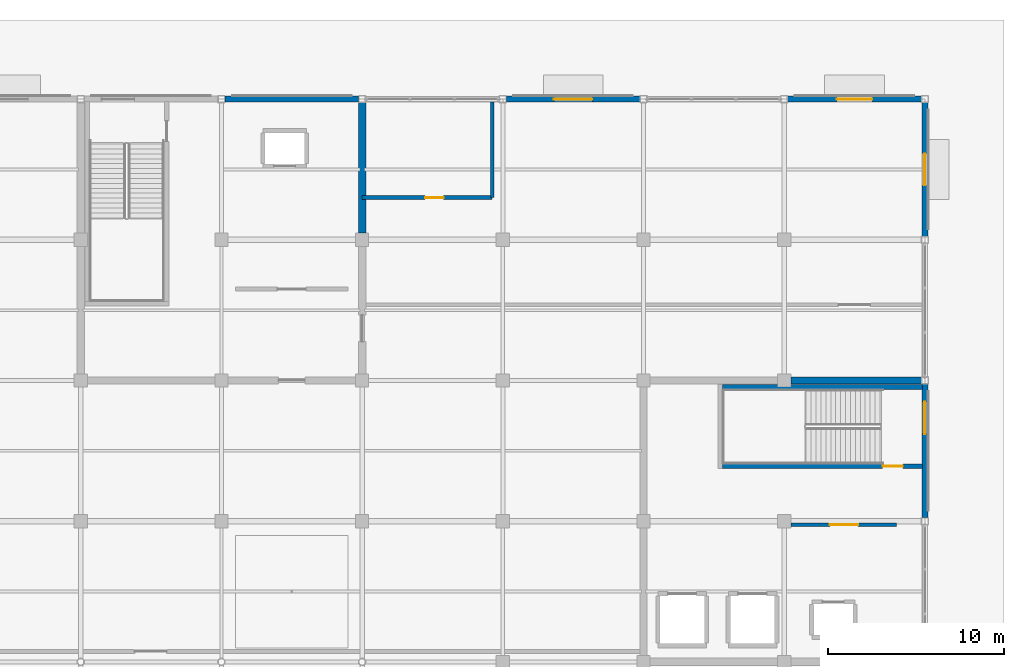
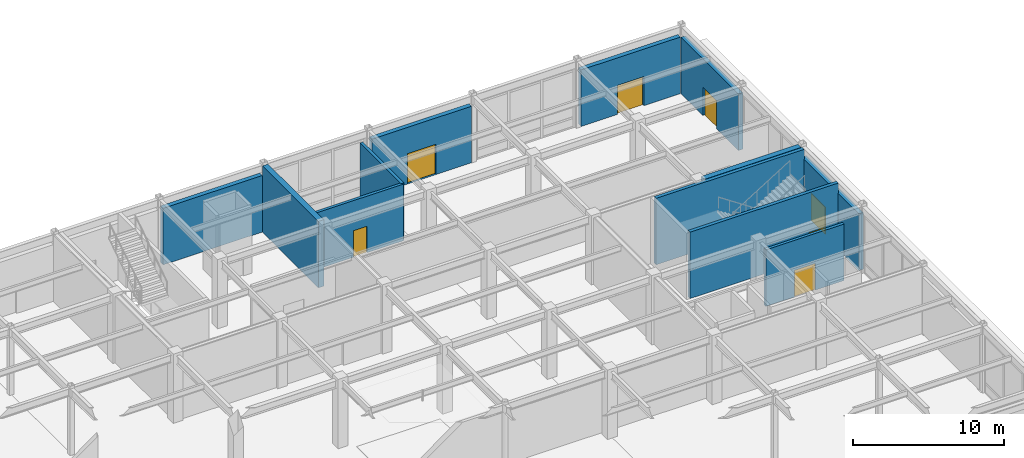
# One storey, part 108 of 128: 12 walls, 7 doors, 7 openings.
"""IFC4 building model written with IfcOpenShell, lengths in metres."""

from ifc_helpers import new_model, si_unit, direction, frame, frame_2d, origin, place, context, subcontext, project, spatial, rectangle, extrude, material, layer, layer_set, type_object, element, fill, save


model = new_model("IFC4")

# Units and contexts
model_context = context("Model", 3, precision=1e-05, world=origin(), true_north=direction((0.0, 1.0)))
body_context = subcontext(model_context, "Body", "Model", "MODEL_VIEW")
ifc_project = project(units=[si_unit("LENGTHUNIT", "METRE"), si_unit("AREAUNIT", "SQUARE_METRE"), si_unit("VOLUMEUNIT", "CUBIC_METRE"), si_unit("PLANEANGLEUNIT", "RADIAN"), si_unit("MASSUNIT", "GRAM", prefix="KILO")], contexts=[model_context])

# Site, building, storey
site_placement = place(None, origin())
site = spatial("IfcSite", under=ifc_project, at=site_placement, CompositionType="ELEMENT")
building_placement = place(site_placement, origin())
building = spatial("IfcBuilding", under=site, at=building_placement, Name="Solmirada Galleria", CompositionType="ELEMENT")
storey_placement = place(building_placement, origin())
storey = spatial("IfcBuildingStorey", under=building, at=storey_placement, Name="L00", CompositionType="ELEMENT", Elevation=0.0)

# Walls
ifc_material_1 = material(Name="Concrete C40/50", Category="concrete")
ifc_layer_1 = layer(ifc_material_1, 0.419921875)
ifc_layer_set_1 = layer_set([ifc_layer_1], Name="Concrete C40/50")
wall_type_1 = type_object("IfcWallType", Name="WL-CORE-420", PredefinedType="SHEAR", material=ifc_layer_set_1)
for number, where, z_axis, x_axis, name in (
    (1, (144.0, 112.375, 0.0), (0.0, 0.0, 1.0), (0.0, 1.0, 0.0), "Core C3 shear wall L00 E2"),
    (2, (168.375, 104.0, 0.0), (0.0, 0.0, 1.0), (1.0, 0.0, 0.0), "Core C4 shear wall L00 N2"),
):
    element("IfcWall", number, at=place(storey_placement, frame(where, z_axis=z_axis, x_axis=x_axis)), inside=storey, type_object=wall_type_1, Name=name, PredefinedType="SHEAR", context=body_context, shape_type="SweptSolid", body=[
        extrude(rectangle(XDim=7.422119140625, YDim=0.419921875, at=frame_2d((3.7109375, 0.0))), origin(), (0.0, 0.0, 1.0), 5.3798828125),
    ])
ifc_material_2 = material(Name="Precast concrete C40/50", Category="concrete")
ifc_layer_2 = layer(ifc_material_2, 0.340087890625)
ifc_layer_set_2 = layer_set([ifc_layer_2], Name="Precast concrete C40/50")
wall_type_2 = type_object("IfcWallType", Name="WL-EXT-340", PredefinedType="STANDARD", material=ifc_layer_set_2)
wall_1_placement = place(storey_placement, frame((136.202880859375, 120.0, 0.0), z_axis=(0.0, 0.0, 1.0), x_axis=(1.0, 0.0, 0.0)))
element("IfcWall", 3, at=wall_1_placement, inside=storey, type_object=wall_type_2, Name="Exterior wall L00 bay 028", PredefinedType="STANDARD", context=body_context, shape_type="SweptSolid", body=[
    extrude(rectangle(XDim=7.59423828125, YDim=0.340087890625, at=frame_2d((3.797119140625, 0.0))), origin(), (0.0, 0.0, 1.0), 4.580078125),
])

# Wall, opening, door
wall_2_placement = place(storey_placement, frame((152.202880859375, 120.0, 0.0), z_axis=(0.0, 0.0, 1.0), x_axis=(1.0, 0.0, 0.0)))
wall_2 = element("IfcWall", 4, at=wall_2_placement, inside=storey, type_object=wall_type_2, Name="Exterior wall L00 bay 030", PredefinedType="STANDARD", context=body_context, shape_type="SweptSolid", body=[
    extrude(rectangle(XDim=7.59423828125, YDim=0.340087890625, at=frame_2d((3.797119140625, 0.0))), origin(), (0.0, 0.0, 1.0), 4.580078125),
])
opening_1_placement = place(wall_2_placement, frame((2.697021484375, 0.0, 0.0)))
opening_1 = element("IfcOpeningElement", 5, at=opening_1_placement, cuts=wall_2, Name="Opening ED-012", PredefinedType="OPENING", context=body_context, shape_type="SweptSolid", body=[
    extrude(rectangle(XDim=2.199951171875, YDim=2.449951171875, at=frame_2d((1.10009765625, 1.22509765625))), frame((0.0, 0.179931640625, 0.0), z_axis=(0.0, -1.0, 0.0), x_axis=(1.0, 0.0, 0.0)), (0.0, 0.0, 1.0), 0.360107421875),
])
ifc_material_3 = material(Name="Thermally broken aluminium and laminated glass door", Category="aluminium")
door_type_1 = type_object("IfcDoorType", Name="DR-ENT-220X245", OperationType="DOUBLE_DOOR_SINGLE_SWING", PredefinedType="DOOR", material=ifc_material_3)
door_1_placement = place(opening_1_placement, origin())
door_1 = element("IfcDoor", 6, at=door_1_placement, inside=storey, type_object=door_type_1, Name="Public avenue entrance door ED-012", OperationType="DOUBLE_DOOR_SINGLE_SWING", OverallHeight=2.449951171875, OverallWidth=2.199951171875, PredefinedType="DOOR", context=body_context, shape_type="SweptSolid", body=[
    extrude(rectangle(XDim=2.199951171875, YDim=2.449951171875, at=frame_2d((1.10009765625, 1.22509765625))), frame((0.0, 0.02490234375, 0.0), z_axis=(0.0, -1.0, 0.0), x_axis=(1.0, 0.0, 0.0)), (0.0, 0.0, 1.0), 0.050048828125),
])
fill(opening_1, door_1)

wall_3_placement = place(storey_placement, frame((168.202880859375, 120.0, 0.0), z_axis=(0.0, 0.0, 1.0), x_axis=(1.0, 0.0, 0.0)))
wall_3 = element("IfcWall", 7, at=wall_3_placement, inside=storey, type_object=wall_type_2, Name="Exterior wall L00 bay 032", PredefinedType="STANDARD", context=body_context, shape_type="SweptSolid", body=[
    extrude(rectangle(XDim=7.59423828125, YDim=0.340087890625, at=frame_2d((3.797119140625, 0.0))), origin(), (0.0, 0.0, 1.0), 4.580078125),
])
opening_2_placement = place(wall_3_placement, frame((2.797119140625, 0.0, 0.0)))
opening_2 = element("IfcOpeningElement", 8, at=opening_2_placement, cuts=wall_3, Name="Opening ED-013", PredefinedType="OPENING", context=body_context, shape_type="SweptSolid", body=[
    extrude(rectangle(XDim=2.0, YDim=2.35009765625, at=frame_2d((1.0, 1.175048828125))), frame((0.0, 0.179931640625, 0.0), z_axis=(0.0, -1.0, 0.0), x_axis=(1.0, 0.0, 0.0)), (0.0, 0.0, 1.0), 0.360107421875),
])
door_type_2 = type_object("IfcDoorType", Name="DR-ENT-200X235", OperationType="DOUBLE_DOOR_SINGLE_SWING", PredefinedType="DOOR", material=ifc_material_3)
door_2_placement = place(opening_2_placement, origin())
door_2 = element("IfcDoor", 9, at=door_2_placement, inside=storey, type_object=door_type_2, Name="Public avenue entrance door ED-013", OperationType="DOUBLE_DOOR_SINGLE_SWING", OverallHeight=2.35009765625, OverallWidth=2.0, PredefinedType="DOOR", context=body_context, shape_type="SweptSolid", body=[
    extrude(rectangle(XDim=2.0, YDim=2.35009765625, at=frame_2d((1.0, 1.175048828125))), frame((0.0, 0.02490234375, 0.0), z_axis=(0.0, -1.0, 0.0), x_axis=(1.0, 0.0, 0.0)), (0.0, 0.0, 1.0), 0.050048828125),
])
fill(opening_2, door_2)

wall_4_placement = place(storey_placement, frame((176.0, 119.797119140625, 0.0), z_axis=(0.0, 0.0, 1.0), x_axis=(0.0, -1.0, 0.0)))
wall_4 = element("IfcWall", 10, at=wall_4_placement, inside=storey, type_object=wall_type_2, Name="Exterior wall L00 bay 033", PredefinedType="STANDARD", context=body_context, shape_type="SweptSolid", body=[
    extrude(rectangle(XDim=7.59423828125, YDim=0.340087890625, at=frame_2d((3.797119140625, 0.0))), origin(), (0.0, 0.0, 1.0), 4.580078125),
])
opening_3_placement = place(wall_4_placement, frame((2.89697265625, 0.0, 0.0)))
opening_3 = element("IfcOpeningElement", 11, at=opening_3_placement, cuts=wall_4, Name="Opening ED-014", PredefinedType="OPENING", context=body_context, shape_type="SweptSolid", body=[
    extrude(rectangle(XDim=1.800048828125, YDim=2.300048828125, at=frame_2d((0.89990234375, 1.14990234375))), frame((0.0, 0.179931640625, 0.0), z_axis=(0.0, -1.0, 0.0), x_axis=(1.0, 0.0, 0.0)), (0.0, 0.0, 1.0), 0.360107421875),
])
door_type_3 = type_object("IfcDoorType", Name="DR-ENT-180X230", OperationType="DOUBLE_DOOR_SINGLE_SWING", PredefinedType="DOOR", material=ifc_material_3)
door_3_placement = place(opening_3_placement, origin())
door_3 = element("IfcDoor", 12, at=door_3_placement, inside=storey, type_object=door_type_3, Name="Public avenue entrance door ED-014", OperationType="DOUBLE_DOOR_SINGLE_SWING", OverallHeight=2.300048828125, OverallWidth=1.800048828125, PredefinedType="DOOR", context=body_context, shape_type="SweptSolid", body=[
    extrude(rectangle(XDim=1.800048828125, YDim=2.300048828125, at=frame_2d((0.89990234375, 1.14990234375))), frame((0.0, 0.02490234375, 0.0), z_axis=(0.0, -1.0, 0.0), x_axis=(1.0, 0.0, 0.0)), (0.0, 0.0, 1.0), 0.050048828125),
])
fill(opening_3, door_3)

wall_5_placement = place(storey_placement, frame((176.0, 103.797119140625, 0.0), z_axis=(0.0, 0.0, 1.0), x_axis=(0.0, -1.0, 0.0)))
wall_5 = element("IfcWall", 13, at=wall_5_placement, inside=storey, type_object=wall_type_2, Name="Exterior wall L00 bay 035", PredefinedType="STANDARD", context=body_context, shape_type="SweptSolid", body=[
    extrude(rectangle(XDim=7.59423828125, YDim=0.340087890625, at=frame_2d((3.797119140625, 0.0))), origin(), (0.0, 0.0, 1.0), 4.580078125),
])
opening_4_placement = place(wall_5_placement, frame((1.0, 0.0, 0.0)))
opening_4 = element("IfcOpeningElement", 14, at=opening_4_placement, cuts=wall_5, Name="Opening ED-015", PredefinedType="OPENING", context=body_context, shape_type="SweptSolid", body=[
    extrude(rectangle(XDim=1.85009765625, YDim=2.199951171875, at=frame_2d((0.925048828125, 1.10009765625))), frame((0.0, 0.179931640625, 0.0), z_axis=(0.0, -1.0, 0.0), x_axis=(1.0, 0.0, 0.0)), (0.0, 0.0, 1.0), 0.360107421875),
])
ifc_material_4 = material(Name="Painted galvanized steel door assembly", Category="steel")
door_type_4 = type_object("IfcDoorType", Name="DR-EXIT-185X220", OperationType="DOUBLE_DOOR_SINGLE_SWING", PredefinedType="DOOR", material=ifc_material_4)
door_4_placement = place(opening_4_placement, origin())
door_4 = element("IfcDoor", 15, at=door_4_placement, inside=storey, type_object=door_type_4, Name="Exit stair ST4 exterior discharge door ED-015", OperationType="DOUBLE_DOOR_SINGLE_SWING", OverallHeight=2.199951171875, OverallWidth=1.85009765625, PredefinedType="DOOR", context=body_context, shape_type="SweptSolid", body=[
    extrude(rectangle(XDim=1.85009765625, YDim=2.199951171875, at=frame_2d((0.925048828125, 1.10009765625))), frame((0.0, 0.02490234375, 0.0), z_axis=(0.0, -1.0, 0.0), x_axis=(1.0, 0.0, 0.0)), (0.0, 0.0, 1.0), 0.050048828125),
])
fill(opening_4, door_4)

ifc_material_5 = material(Name="Fire-rated gypsum and steel-stud partition", Category="steel")
ifc_layer_3 = layer(ifc_material_5, 0.219970703125)
ifc_layer_set_3 = layer_set([ifc_layer_3], Name="Fire-rated gypsum and steel-stud partition")
wall_type_3 = type_object("IfcWallType", Name="WL-PART-220", PredefinedType="PARTITIONING", material=ifc_layer_set_3)
wall_6_placement = place(storey_placement, frame((168.39990234375, 95.800048828125, 0.0), z_axis=(0.0, 0.0, 1.0), x_axis=(1.0, 0.0, 0.0)))
wall_6 = element("IfcWall", 16, at=wall_6_placement, inside=storey, type_object=wall_type_3, Name="Firefighting lift lobby C4 smoke barrier L00", PredefinedType="PARTITIONING", context=body_context, shape_type="SweptSolid", body=[
    extrude(rectangle(XDim=6.0, YDim=0.219970703125, at=frame_2d((3.0, 0.0))), origin(), (0.0, 0.0, 1.0), 4.580078125),
])
opening_5_placement = place(wall_6_placement, frame((2.199951171875, 0.0, 0.0)))
opening_5 = element("IfcOpeningElement", 17, at=opening_5_placement, cuts=wall_6, Name="Opening FD-208", PredefinedType="OPENING", context=body_context, shape_type="SweptSolid", body=[
    extrude(rectangle(XDim=1.60009765625, YDim=2.14990234375, at=frame_2d((0.800048828125, 1.074951171875))), frame((0.0, 0.119873046875, 0.0), z_axis=(0.0, -1.0, 0.0), x_axis=(1.0, 0.0, 0.0)), (0.0, 0.0, 1.0), 0.239990234375),
])
ifc_material_6 = material(Name="Fire-rated painted steel door assembly", Category="steel")
door_type_5 = type_object("IfcDoorType", Name="DR-FFLOB-160X215", OperationType="DOUBLE_DOOR_SINGLE_SWING", PredefinedType="DOOR", material=ifc_material_6)
door_5_placement = place(opening_5_placement, origin())
door_5 = element("IfcDoor", 18, at=door_5_placement, inside=storey, type_object=door_type_5, Name="Firefighting lift lobby internal door FD-208", OperationType="DOUBLE_DOOR_SINGLE_SWING", OverallHeight=2.14990234375, OverallWidth=1.60009765625, PredefinedType="DOOR", context=body_context, shape_type="SweptSolid", body=[
    extrude(rectangle(XDim=1.60009765625, YDim=2.14990234375, at=frame_2d((0.800048828125, 1.074951171875))), frame((0.0, 0.02490234375, 0.0), z_axis=(0.0, -1.0, 0.0), x_axis=(1.0, 0.0, 0.0)), (0.0, 0.0, 1.0), 0.050048828125),
])
fill(opening_5, door_5)

wall_7_placement = place(storey_placement, frame((144.0, 114.39990234375, 0.0), z_axis=(0.0, 0.0, 1.0), x_axis=(1.0, 0.0, 0.0)))
wall_7 = element("IfcWall", 19, at=wall_7_placement, inside=storey, type_object=wall_type_3, Name="Partition L00-033 (Fire Command Center)", PredefinedType="PARTITIONING", context=body_context, shape_type="SweptSolid", body=[
    extrude(rectangle(XDim=7.39990234375, YDim=0.219970703125, at=frame_2d((3.699951171875, 0.0))), origin(), (0.0, 0.0, 1.0), 4.580078125),
])
opening_6_placement = place(wall_7_placement, frame((3.5791015625, 0.0, 0.0)))
opening_6 = element("IfcOpeningElement", 20, at=opening_6_placement, cuts=wall_7, Name="Opening ID-280", PredefinedType="OPENING", context=body_context, shape_type="SweptSolid", body=[
    extrude(rectangle(XDim=1.050048828125, YDim=2.14990234375, at=frame_2d((0.52490234375, 1.074951171875))), frame((0.0, 0.119873046875, 0.0), z_axis=(0.0, -1.0, 0.0), x_axis=(1.0, 0.0, 0.0)), (0.0, 0.0, 1.0), 0.239990234375),
])
door_type_6 = type_object("IfcDoorType", Name="DR-FIRE-105X215", OperationType="NOTDEFINED", PredefinedType="DOOR", material=ifc_material_6)
door_6_placement = place(opening_6_placement, origin())
door_6 = element("IfcDoor", 21, at=door_6_placement, inside=storey, type_object=door_type_6, Name="Fire Command Center door ID-280", OperationType="SINGLE_SWING_LEFT", OverallHeight=2.14990234375, OverallWidth=1.050048828125, PredefinedType="DOOR", context=body_context, shape_type="SweptSolid", body=[
    extrude(rectangle(XDim=1.050048828125, YDim=2.14990234375, at=frame_2d((0.52490234375, 1.074951171875))), frame((0.0, 0.02490234375, 0.0), z_axis=(0.0, -1.0, 0.0), x_axis=(1.0, 0.0, 0.0)), (0.0, 0.0, 1.0), 0.050048828125),
])
fill(opening_6, door_6)

# Wall
wall_8_placement = place(storey_placement, frame((151.39990234375, 114.39990234375, 0.0), z_axis=(0.0, 0.0, 1.0), x_axis=(0.0, 1.0, 0.0)))
element("IfcWall", 22, at=wall_8_placement, inside=storey, type_object=wall_type_3, Name="Partition L00-034 (Fire Command Center Side)", PredefinedType="PARTITIONING", context=body_context, shape_type="SweptSolid", body=[
    extrude(rectangle(XDim=5.4501953125, YDim=0.219970703125, at=frame_2d((2.72509765625, 0.0))), origin(), (0.0, 0.0, 1.0), 4.580078125),
])

# Wall, opening, door
ifc_layer_4 = layer(ifc_material_1, 0.260009765625)
ifc_layer_set_4 = layer_set([ifc_layer_4], Name="Concrete C40/50")
wall_type_4 = type_object("IfcWallType", Name="WL-SHAFT-260", PredefinedType="SHEAR", material=ifc_layer_set_4)
wall_9_placement = place(storey_placement, frame((164.5, 99.1201171875, 0.0), z_axis=(0.0, 0.0, 1.0), x_axis=(1.0, 0.0, 0.0)))
wall_9 = element("IfcWall", 23, at=wall_9_placement, inside=storey, type_object=wall_type_4, Name="Stair ST4 enclosure wall L00 S", PredefinedType="SHEAR", context=body_context, shape_type="SweptSolid", body=[
    extrude(rectangle(XDim=11.35498046875, YDim=0.260009765625, at=frame_2d((5.677490234375, 0.0))), origin(), (0.0, 0.0, 1.0), 5.3798828125),
])
opening_7_placement = place(wall_9_placement, frame((9.10009765625, 0.0, 0.0)))
opening_7 = element("IfcOpeningElement", 24, at=opening_7_placement, cuts=wall_9, Name="Opening SD-207", PredefinedType="OPENING", context=body_context, shape_type="SweptSolid", body=[
    extrude(rectangle(XDim=1.14990234375, YDim=2.14990234375, at=frame_2d((0.574951171875, 1.074951171875))), frame((0.0, 0.139892578125, 0.0), z_axis=(0.0, -1.0, 0.0), x_axis=(1.0, 0.0, 0.0)), (0.0, 0.0, 1.0), 0.280029296875),
])
door_type_7 = type_object("IfcDoorType", Name="DR-STAIR-115X215", OperationType="NOTDEFINED", PredefinedType="DOOR", material=ifc_material_6)
door_7_placement = place(opening_7_placement, origin())
door_7 = element("IfcDoor", 25, at=door_7_placement, inside=storey, type_object=door_type_7, Name="Exit stair ST4 enclosure fire door SD-207", OperationType="SINGLE_SWING_LEFT", OverallHeight=2.14990234375, OverallWidth=1.14990234375, PredefinedType="DOOR", context=body_context, shape_type="SweptSolid", body=[
    extrude(rectangle(XDim=1.14990234375, YDim=2.14990234375, at=frame_2d((0.574951171875, 1.074951171875))), frame((0.0, 0.02490234375, 0.0), z_axis=(0.0, -1.0, 0.0), x_axis=(1.0, 0.0, 0.0)), (0.0, 0.0, 1.0), 0.050048828125),
])
fill(opening_7, door_7)

# Wall
wall_10_placement = place(storey_placement, frame((164.5, 103.6298828125, 0.0), z_axis=(0.0, 0.0, 1.0), x_axis=(1.0, 0.0, 0.0)))
element("IfcWall", 26, at=wall_10_placement, inside=storey, type_object=wall_type_4, Name="Stair ST4 enclosure wall L00 N", PredefinedType="SHEAR", context=body_context, shape_type="SweptSolid", body=[
    extrude(rectangle(XDim=11.35498046875, YDim=0.260009765625, at=frame_2d((5.677490234375, 0.0))), origin(), (0.0, 0.0, 1.0), 5.3798828125),
])

save(model, "model.ifc")
